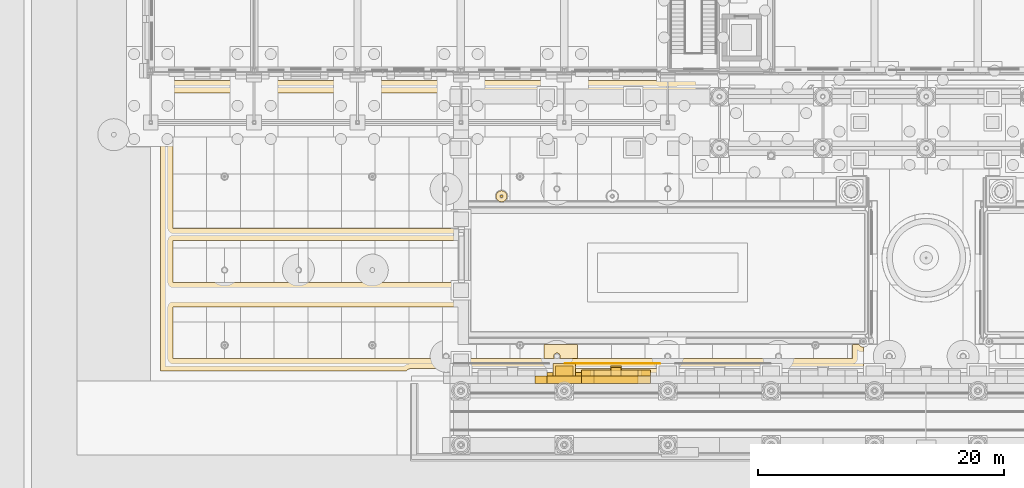
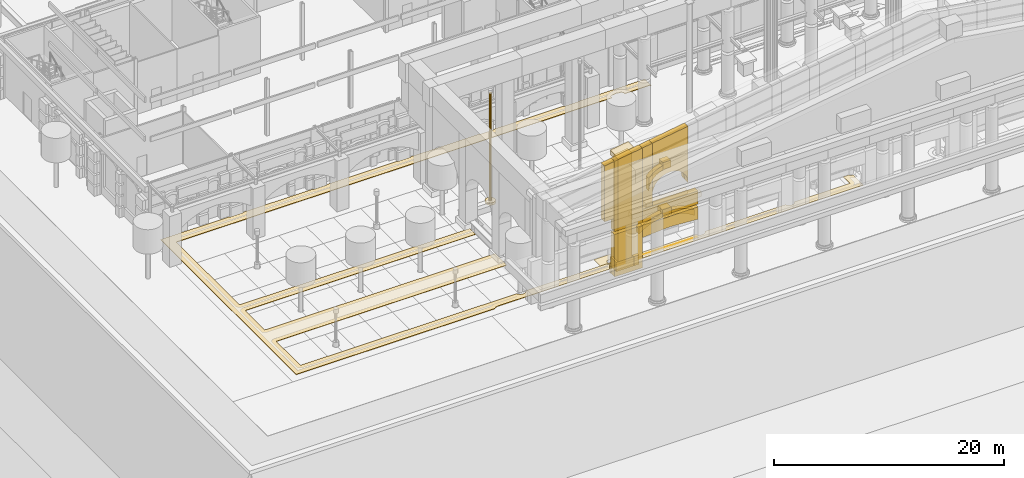
# One storey, part 112 of 222: 25 coverings.
"""IFC4 building model written with IfcOpenShell, lengths in metres."""

from ifc_helpers import new_model, si_unit, direction, frame, origin, origin_2d, place, context, subcontext, project, spatial, polyline, rectangle, circle, outline, extrude, material, layer, layer_set, type_object, element, save


model = new_model("IFC4")

# Units and contexts
model_context = context("Model", 3, precision=1e-05, world=origin(), true_north=direction((0.0, 1.0)))
body_context = subcontext(model_context, "Body", "Model", "MODEL_VIEW")
ifc_project = project(units=[si_unit("LENGTHUNIT", "METRE"), si_unit("AREAUNIT", "SQUARE_METRE"), si_unit("VOLUMEUNIT", "CUBIC_METRE"), si_unit("PLANEANGLEUNIT", "RADIAN"), si_unit("MASSUNIT", "GRAM", prefix="KILO")], contexts=[model_context])

# Site, building, storey
site_placement = place(None, origin())
site = spatial("IfcSite", under=ifc_project, at=site_placement, CompositionType="ELEMENT")
building_placement = place(site_placement, origin())
building = spatial("IfcBuilding", under=site, at=building_placement, Name="Sava Quay Ferry Terminal", CompositionType="ELEMENT")
storey_placement = place(building_placement, origin())
storey = spatial("IfcBuildingStorey", under=building, at=storey_placement, Name="L00", CompositionType="ELEMENT", Elevation=0.0)

# Coverings
ifc_material_1 = material(Name="Limestone Mutalj", Category="masonry")
ifc_layer_1 = layer(ifc_material_1, 0.60009765625)
ifc_layer_set_1 = layer_set([ifc_layer_1], Name="Limestone Mutalj")
covering_type_1 = type_object("IfcCoveringType", Name="Arcade spandrel 600", PredefinedType="CLADDING", material=ifc_layer_set_1)
covering_1_placement = place(storey_placement, frame((35.0, 0.39990234375, 3.199951171875), z_axis=(0.0, 1.0, 0.0), x_axis=(0.0, 0.0, 1.0)))
element("IfcCovering", 1, at=covering_1_placement, inside=storey, type_object=covering_type_1, Name="Arcade spandrel", PredefinedType="CLADDING", context=body_context, shape_type="SweptSolid", body=[
    extrude(outline(polyline([(0.0, 0.0), (1.300048828125, 0.0), (1.300048828125, 5.60009765625), (0.0, 5.60009765625), (0.334228515625, 0.500244140625), (0.60009765625, 1.039794921875), (0.79345703125, 1.609619140625), (0.91064453125, 2.19970703125), (0.949951171875, 2.800048828125), (0.91064453125, 3.400390625), (0.79345703125, 3.990478515625), (0.60009765625, 4.56005859375), (0.334228515625, 5.099609375), (0.0, 0.0)])), origin(), (0.0, 0.0, -1.0), 0.60009765625),
])
ifc_material_2 = material(Name="Limestone Mutalj", Category="masonry")
ifc_layer_2 = layer(ifc_material_2, 0.60009765625)
ifc_layer_set_2 = layer_set([ifc_layer_2], Name="Limestone Mutalj")
covering_type_2 = type_object("IfcCoveringType", Name="Arcade wall pier 2800", PredefinedType="CLADDING", material=ifc_layer_set_2)
covering_2_placement = place(storey_placement, frame((33.60009765625, 0.10009765625, 0.0), z_axis=(0.0, 0.0, 1.0), x_axis=(1.0, 0.0, 0.0)))
element("IfcCovering", 2, at=covering_2_placement, inside=storey, type_object=covering_type_2, Name="Arcade wall pier", PredefinedType="CLADDING", context=body_context, shape_type="SweptSolid", body=[
    extrude(rectangle(XDim=2.800048828125, YDim=0.60009765625, at=origin_2d()), origin(), (0.0, 0.0, 1.0), 4.5),
])
ifc_material_3 = material(Name="Limestone Mutalj", Category="masonry")
ifc_layer_3 = layer(ifc_material_3, 0.5)
ifc_layer_set_3 = layer_set([ifc_layer_3], Name="Limestone Mutalj")
covering_type_3 = type_object("IfcCoveringType", Name="Arch archivolt 500", PredefinedType="MOLDING", material=ifc_layer_set_3)
covering_3_placement = place(storey_placement, frame((35.0, 0.39990234375, 3.199951171875), z_axis=(0.0, -1.0, 0.0), x_axis=(0.807262114097, 0.0, 0.590193086324)))
element("IfcCovering", 3, at=covering_3_placement, inside=storey, type_object=covering_type_3, Name="Arch archivolt", PredefinedType="MOLDING", context=body_context, shape_type="SweptSolid", body=[
    extrude(outline(polyline([(0.0, 0.0), (0.20807213303693342, 0.0), (0.40946312569333504, -0.008724756359381552), (0.6048553291412851, -0.02606827834192732), (0.7947191130804292, -0.05055987286725966), (0.9793045583559503, -0.08268480563038433), (1.159082034667494, -0.12097238355092349), (1.3343016228602433, -0.16590787232388304), (1.5050544176750553, -0.2169530108861486), (1.6715756039617524, -0.2733724526975312), (1.8339711724565528, -0.33584854893011096), (1.9922792225322041, -0.40350186293473334), (2.1470380152518214, -0.47642348945225554), (2.2977092895522895, -0.5545223337418203), (2.4448313064967238, -0.6378894905442849), (2.741224660639209, -0.23248466420227665), (2.5951112744575355, -0.14773790906029127), (2.44602499135569, -0.06747112452290827), (2.293283460161593, 0.008209698673655286), (2.1372808518293933, 0.07901638031146774), (1.9776229954049414, 0.14523710060846096), (1.8145599717334213, 0.20638659386962865), (1.6475535197517182, 0.26255595483582816), (1.476800724936906, 0.3136010933980936), (1.3020664024391628, 0.35878666301623635), (1.1232445615222704, 0.39879501486233637), (0.9401530127045152, 0.4325496268101647), (0.7522534949227826, 0.46014159360057844), (0.5596519989132898, 0.4808885640614975), (0.3618102636129225, 0.49488163293377874), (0.0, 0.0)])), origin(), (0.0, 0.0, -1.0), 0.5),
])
covering_4_placement = place(storey_placement, frame((38.25, 0.39990234375, 4.1279296875), z_axis=(0.0, -1.0, 0.0), x_axis=(0.993307380301, 0.0, -0.115500858175)))
element("IfcCovering", 4, at=covering_4_placement, inside=storey, type_object=covering_type_3, Name="Arch archivolt", PredefinedType="MOLDING", context=body_context, shape_type="SweptSolid", body=[
    extrude(outline(polyline([(0.0, 0.0), (0.16910047517119814, 3.469446951953614e-18), (0.3386916034020246, -0.0063333722524431535), (0.5092865965134697, -0.019186226538567767), (0.6803722426845432, -0.03837245307713555), (0.8524617537362355, -0.06407816164938478), (1.025154711654367, -0.09708726921265261), (1.1988797329048202, -0.13685836549424574), (1.3734789061580595, -0.18414716899979858), (1.5487661216328463, -0.2394668915503016), (1.7251981942467658, -0.30251862955770537), (1.9024593013407467, -0.3748138200332787), (2.0810062578323745, -0.4560535593889721), (2.2605232410625775, -0.5477492846360541), (2.4415516613040493, -0.6503296122404072), (2.3707453490783825, -0.04139532709967292), (2.1917190189078077, 0.04396702589496604), (2.013922141231474, 0.12086984337877266), (1.8368415042283905, 0.18949923513298525), (1.66090572436444, 0.25039661143029707), (1.4856015898186314, 0.3037480820519464), (1.3113013201534418, 0.3505800706399143), (1.1375762989029885, 0.39035116692150745), (0.9645844373968073, 0.42381708940236024), (0.7925682423195425, 0.4510060365341754), (0.6210145018502029, 0.4721041180981913), (0.4503800309063738, 0.48741023768245734), (0.28017981611876747, 0.4968679983835679), (0.11089887085667155, 0.5005337971049285), (-0.05800421515260716, 0.4988362503124215), (0.0, 0.0)])), origin(), (0.0, 0.0, -1.0), 0.5),
])
ifc_material_4 = material(Name="Limestone Mutalj", Category="masonry")
ifc_layer_4 = layer(ifc_material_4, 0.800048828125)
ifc_layer_set_4 = layer_set([ifc_layer_4], Name="Limestone Mutalj")
covering_type_4 = type_object("IfcCoveringType", Name="Arch keystone 900", PredefinedType="CLADDING", material=ifc_layer_set_4)
covering_5_placement = place(storey_placement, frame((37.800048828125, 0.800048828125, 4.14990234375), z_axis=(0.0, 0.0, 1.0), x_axis=(1.0, 0.0, 0.0)))
element("IfcCovering", 5, at=covering_5_placement, inside=storey, type_object=covering_type_4, Name="Arch keystone", PredefinedType="CLADDING", context=body_context, shape_type="SweptSolid", body=[
    extrude(rectangle(XDim=0.89990234375, YDim=0.800048828125, at=origin_2d()), origin(), (0.0, 0.0, 1.0), 0.800048828125),
])
ifc_material_5 = material(Name="Limestone Mutalj", Category="masonry")
ifc_layer_5 = layer(ifc_material_5, 0.60009765625)
ifc_layer_set_5 = layer_set([ifc_layer_5], Name="Limestone Mutalj")
covering_type_5 = type_object("IfcCoveringType", Name="Attic arch head panel 600", PredefinedType="CLADDING", material=ifc_layer_set_5)
covering_6_placement = place(storey_placement, frame((36.0, -0.199951171875, 7.39990234375), z_axis=(0.0, -1.0, 0.0), x_axis=(0.130360467782, 0.0, 0.991466665319)))
element("IfcCovering", 6, at=covering_6_placement, inside=storey, type_object=covering_type_5, Name="Attic arch head panel", PredefinedType="CLADDING", context=body_context, shape_type="SweptSolid", body=[
    extrude(outline(polyline([(0.0, 0.0), (0.47007576696975106, -6.938893903907228e-18), (0.9239096038088954, -0.12180908706656961), (1.3307996686807666, -0.3566594363796859), (1.6628474956806976, -0.6890123392533513), (1.8978308560459949, -1.095934230411302), (2.019343616297553, -1.5500332017691405), (2.0193117900114737, -2.019866911447554), (1.8975027029449039, -2.473700748286698), (1.6626523536317879, -2.880590813158569), (1.330331277044202, -3.212880697449838), (0.9234093858862513, -3.447864057815135), (0.46931041452841277, -3.5693768180666936), (6.44013761995708, -2.78431781934349), (5.417484237430535, 0.71230410874545), (0.0, 0.0)])), origin(), (0.0, 0.0, -1.0), 0.60009765625),
])
ifc_material_6 = material(Name="Limestone Mutalj", Category="masonry")
ifc_layer_6 = layer(ifc_material_6, 0.60009765625)
ifc_layer_set_6 = layer_set([ifc_layer_6], Name="Limestone Mutalj")
covering_type_6 = type_object("IfcCoveringType", Name="Attic wall pier 2800", PredefinedType="CLADDING", material=ifc_layer_set_6)
covering_7_placement = place(storey_placement, frame((32.199951171875, -0.199951171875, 4.800048828125), z_axis=(0.0, -1.0, 0.0), x_axis=(1.0, 0.0, 0.0)))
element("IfcCovering", 7, at=covering_7_placement, inside=storey, type_object=covering_type_6, Name="Attic wall pier", PredefinedType="CLADDING", context=body_context, shape_type="SweptSolid", body=[
    extrude(outline(polyline([(0.0, 0.0), (2.800048828125, 0.0), (2.800048828125, 7.908935546875), (0.0, 7.474853515625), (0.0, 0.0)])), origin(), (0.0, 0.0, -1.0), 0.60009765625),
])
ifc_material_7 = material(Name="Limestone Mutalj", Category="masonry")
ifc_layer_7 = layer(ifc_material_7, 0.60009765625)
ifc_layer_set_7 = layer_set([ifc_layer_7], Name="Limestone Mutalj")
covering_type_7 = type_object("IfcCoveringType", Name="Attic window jamb panel 600", PredefinedType="CLADDING", material=ifc_layer_set_7)
covering_8_placement = place(storey_placement, frame((31.199951171875, -0.199951171875, 6.199951171875), z_axis=(0.0, -1.0, 0.0), x_axis=(1.0, 0.0, 0.0)))
element("IfcCovering", 8, at=covering_8_placement, inside=storey, type_object=covering_type_7, Name="Attic window jamb panel", PredefinedType="CLADDING", context=body_context, shape_type="SweptSolid", body=[
    extrude(outline(polyline([(0.0, 0.0), (1.0, 0.0), (1.0, 6.074951171875), (0.0, 5.919921875), (0.0, 0.0)])), origin(), (0.0, 0.0, -1.0), 0.60009765625),
])
covering_9_placement = place(storey_placement, frame((35.0, -0.199951171875, 6.199951171875), z_axis=(0.0, -1.0, 0.0), x_axis=(1.0, 0.0, 0.0)))
element("IfcCovering", 9, at=covering_9_placement, inside=storey, type_object=covering_type_7, Name="Attic window jamb panel", PredefinedType="CLADDING", context=body_context, shape_type="SweptSolid", body=[
    extrude(outline(polyline([(0.0, 0.0), (1.0, 0.0), (1.0, 6.6640625), (0.0, 6.509033203125), (0.0, 0.0)])), origin(), (0.0, 0.0, -1.0), 0.60009765625),
])
ifc_material_8 = material(Name="Limestone Mutalj", Category="masonry")
ifc_layer_8 = layer(ifc_material_8, 0.60009765625)
ifc_layer_set_8 = layer_set([ifc_layer_8], Name="Limestone Mutalj")
covering_type_8 = type_object("IfcCoveringType", Name="Attic window sill panel 600", PredefinedType="CLADDING", material=ifc_layer_set_8)
covering_10_placement = place(storey_placement, frame((35.0, -0.199951171875, 4.800048828125), z_axis=(0.0, -1.0, 0.0), x_axis=(1.0, 0.0, 0.0)))
element("IfcCovering", 10, at=covering_10_placement, inside=storey, type_object=covering_type_8, Name="Attic window sill panel", PredefinedType="CLADDING", context=body_context, shape_type="SweptSolid", body=[
    extrude(outline(polyline([(0.0, 0.0), (5.60009765625, 0.0), (5.60009765625, 1.39990234375), (0.0, 1.39990234375), (0.0, 0.0)])), origin(), (0.0, 0.0, -1.0), 0.60009765625),
])
ifc_material_9 = material(Name="Limestone Mutalj", Category="masonry")
ifc_layer_9 = layer(ifc_material_9, 0.800048828125)
ifc_layer_set_9 = layer_set([ifc_layer_9], Name="Limestone Mutalj")
covering_type_9 = type_object("IfcCoveringType", Name="Back wall pilaster 800", PredefinedType="CLADDING", material=ifc_layer_set_9)
covering_11_placement = place(storey_placement, frame((32.89990234375, 0.39990234375, 1.0), z_axis=(0.0, -1.0, 0.0), x_axis=(1.0, 0.0, 0.0)))
element("IfcCovering", 11, at=covering_11_placement, inside=storey, type_object=covering_type_9, Name="Back wall pilaster", PredefinedType="CLADDING", context=body_context, shape_type="SweptSolid", body=[
    extrude(outline(polyline([(0.0, 0.0), (1.400146484375, 0.0), (1.400146484375, 11.100341796875), (0.0, 10.88330078125), (0.0, 0.0)])), origin(), (0.0, 0.0, -1.0), 0.800048828125),
])
ifc_material_10 = material(Name="Limestone Mutalj", Category="masonry")
ifc_layer_10 = layer(ifc_material_10, 1.0)
ifc_layer_set_10 = layer_set([ifc_layer_10], Name="Limestone Mutalj")
covering_type_10 = type_object("IfcCoveringType", Name="Back wall pilaster base 1000", PredefinedType="MOLDING", material=ifc_layer_set_10)
covering_12_placement = place(storey_placement, frame((33.60009765625, 0.89990234375, 0.0), z_axis=(0.0, 0.0, 1.0), x_axis=(1.0, 0.0, 0.0)))
element("IfcCovering", 12, at=covering_12_placement, inside=storey, type_object=covering_type_10, Name="Back wall pilaster base", PredefinedType="MOLDING", context=body_context, shape_type="SweptSolid", body=[
    extrude(rectangle(XDim=1.800048828125, YDim=1.0, at=origin_2d()), origin(), (0.0, 0.0, 1.0), 1.0),
])
ifc_material_11 = material(Name="Limestone Mutalj", Category="masonry")
ifc_layer_11 = layer(ifc_material_11, 1.0)
ifc_layer_set_11 = layer_set([ifc_layer_11], Name="Limestone Mutalj")
covering_type_11 = type_object("IfcCoveringType", Name="Back wall pilaster capital 1000", PredefinedType="MOLDING", material=ifc_layer_set_11)
covering_13_placement = place(storey_placement, frame((32.699951171875, 0.39990234375, 11.852294921875), z_axis=(0.0, -1.0, 0.0), x_axis=(0.988195952481, 0.0, 0.153195168003)))
element("IfcCovering", 13, at=covering_13_placement, inside=storey, type_object=covering_type_11, Name="Back wall pilaster capital", PredefinedType="MOLDING", context=body_context, shape_type="SweptSolid", body=[
    extrude(outline(polyline([(0.0, 0.0), (1.8215504967462062, 0.0), (1.8981480807477107, 0.4940979762406768), (0.07659758400150464, 0.49409797624067686), (0.0, 0.0)])), origin(), (0.0, 0.0, -1.0), 1.0),
])
ifc_material_12 = material(Name="Basalt setts", Category="masonry")
ifc_layer_12 = layer(ifc_material_12, 0.02001953125)
ifc_layer_set_12 = layer_set([ifc_layer_12], Name="Basalt setts")
covering_type_12 = type_object("IfcCoveringType", Name="Basalt inlay line 20", PredefinedType="FLOORING", material=ifc_layer_set_12)
covering_14_placement = place(storey_placement, frame((0.0, 0.0, 0.050048828125)))
element("IfcCovering", 14, at=covering_14_placement, inside=storey, type_object=covering_type_12, Name="Basalt inlay line", PredefinedType="FLOORING", context=body_context, shape_type="SweptSolid", body=[
    extrude(outline(polyline([(41.3759765625, 1.3798828125), (41.339111328125, 1.419921875), (33.660888671875, 1.419921875), (33.623046875, 1.3798828125), (41.3759765625, 1.3798828125)])), origin(), (0.0, 0.0, 1.0), 0.02001953125),
])
ifc_material_13 = material(Name="Red sandstone Vrsac", Category="masonry")
ifc_layer_13 = layer(ifc_material_13, 0.030029296875)
ifc_layer_set_13 = layer_set([ifc_layer_13], Name="Red sandstone Vrsac")
covering_type_13 = type_object("IfcCoveringType", Name="Court paving tile sandstone 30", PredefinedType="FLOORING", material=ifc_layer_set_13)
covering_15_placement = place(storey_placement, origin())
element("IfcCovering", 15, at=covering_15_placement, inside=storey, type_object=covering_type_13, Name="Sandstone paving tile", PredefinedType="FLOORING", context=body_context, shape_type="SweptSolid", body=[
    extrude(outline(polyline([(33.4580078125, 1.81005859375), (34.679931640625, 1.81005859375), (34.679931640625, 2.949951171875), (31.93994140625, 2.949951171875), (31.93994140625, 1.81005859375), (32.5419921875, 1.81005859375), (32.548095703125, 1.80810546875), (32.552978515625, 1.800048828125), (32.833984375, 1.800048828125), (32.799072265625, 1.8349609375), (32.783935546875, 1.85498046875), (32.77099609375, 1.876953125), (32.7509765625, 1.925048828125), (32.7451171875, 1.948974609375), (32.740966796875, 1.97509765625), (32.739990234375, 2.0), (32.740966796875, 2.02490234375), (32.7451171875, 2.051025390625), (32.7509765625, 2.074951171875), (32.77099609375, 2.123046875), (32.783935546875, 2.14501953125), (32.799072265625, 2.1650390625), (32.81689453125, 2.18408203125), (32.8349609375, 2.200927734375), (32.85498046875, 2.216064453125), (32.8779296875, 2.22998046875), (32.924072265625, 2.2490234375), (32.97412109375, 2.259033203125), (33.0, 2.260009765625), (33.02490234375, 2.259033203125), (33.075927734375, 2.2490234375), (33.1220703125, 2.22998046875), (33.14501953125, 2.216064453125), (33.1650390625, 2.200927734375), (33.18310546875, 2.18408203125), (33.200927734375, 2.1650390625), (33.216064453125, 2.14501953125), (33.22900390625, 2.123046875), (33.2490234375, 2.074951171875), (33.2548828125, 2.051025390625), (33.259033203125, 2.02490234375), (33.260009765625, 2.0), (33.259033203125, 1.97509765625), (33.2548828125, 1.948974609375), (33.2490234375, 1.925048828125), (33.22900390625, 1.876953125), (33.216064453125, 1.85498046875), (33.200927734375, 1.8349609375), (33.166015625, 1.800048828125), (33.447021484375, 1.800048828125), (33.450927734375, 1.80810546875), (33.4580078125, 1.81005859375)])), origin(), (0.0, 0.0, 1.0), 0.030029296875),
])
ifc_material_14 = material(Name="Limestone Mutalj", Category="masonry")
ifc_layer_14 = layer(ifc_material_14, 0.60009765625)
ifc_layer_set_14 = layer_set([ifc_layer_14], Name="Limestone Mutalj")
covering_type_14 = type_object("IfcCoveringType", Name="Face string course 600", PredefinedType="MOLDING", material=ifc_layer_set_14)
covering_16_placement = place(storey_placement, frame((37.800048828125, 0.699951171875, 5.0), z_axis=(0.0, 0.0, 1.0), x_axis=(1.0, 0.0, 0.0)))
element("IfcCovering", 16, at=covering_16_placement, inside=storey, type_object=covering_type_14, Name="Face string course", PredefinedType="MOLDING", context=body_context, shape_type="SweptSolid", body=[
    extrude(rectangle(XDim=7.0, YDim=0.60009765625, at=origin_2d()), origin(), (0.0, 0.0, 1.0), 0.5),
])
ifc_material_15 = material(Name="Steel S355", Category="steel")
ifc_layer_15 = layer(ifc_material_15, 0.89990234375)
ifc_layer_set_15 = layer_set([ifc_layer_15], Name="Steel S355")
covering_type_15 = type_object("IfcCoveringType", Name="Flagstaff base plate 900", PredefinedType="MOLDING", material=ifc_layer_set_15)
covering_17_placement = place(storey_placement, frame((28.5, 15.0, 0.25), z_axis=(0.0, 0.0, -1.0), x_axis=(1.0, 0.0, 0.0)))
element("IfcCovering", 17, at=covering_17_placement, inside=storey, type_object=covering_type_15, Name="Flagstaff base plate", PredefinedType="MOLDING", context=body_context, shape_type="SweptSolid", body=[
    extrude(circle(Radius=0.449951171875, at=origin_2d()), origin(), (0.0, 0.0, 1.0), 0.25),
])
ifc_material_16 = material(Name="Steel S355", Category="steel")
ifc_layer_16 = layer(ifc_material_16, 0.219970703125)
ifc_layer_set_16 = layer_set([ifc_layer_16], Name="Steel S355")
covering_type_16 = type_object("IfcCoveringType", Name="Flagstaff mast 220", PredefinedType="CLADDING", material=ifc_layer_set_16)
covering_18_placement = place(storey_placement, frame((28.5, 15.0, 11.64990234375), z_axis=(0.0, 0.0, -1.0), x_axis=(1.0, 0.0, 0.0)))
element("IfcCovering", 18, at=covering_18_placement, inside=storey, type_object=covering_type_16, Name="Flagstaff mast", PredefinedType="CLADDING", context=body_context, shape_type="SweptSolid", body=[
    extrude(circle(Radius=0.110107421875, at=origin_2d()), origin(), (0.0, 0.0, 1.0), 11.39990234375),
])
ifc_material_17 = material(Name="Limestone Mutalj", Category="masonry")
ifc_layer_17 = layer(ifc_material_17, 0.300048828125)
ifc_layer_set_17 = layer_set([ifc_layer_17], Name="Limestone Mutalj")
covering_type_17 = type_object("IfcCoveringType", Name="Pier rustication block 300", PredefinedType="CLADDING", material=ifc_layer_set_17)
for number, where, z_axis, x_axis, name in (
    (19, (32.449951171875, 0.550048828125, 0.0), (0.0, 0.0, 1.0), (1.0, 0.0, 0.0), "Pier rustication block"),
    (20, (34.75, 0.550048828125, 0.0), (0.0, 0.0, 1.0), (1.0, 0.0, 0.0), "Pier rustication block"),
):
    element("IfcCovering", number, at=place(storey_placement, frame(where, z_axis=z_axis, x_axis=x_axis)), inside=storey, type_object=covering_type_17, Name=name, PredefinedType="CLADDING", context=body_context, shape_type="SweptSolid", body=[
        extrude(rectangle(XDim=0.5, YDim=0.300048828125, at=origin_2d()), origin(), (0.0, 0.0, 1.0), 1.0),
    ])
ifc_material_18 = material(Name="Limestone Mutalj", Category="masonry")
ifc_layer_18 = layer(ifc_material_18, 0.050048828125)
ifc_layer_set_18 = layer_set([ifc_layer_18], Name="Limestone Mutalj")
covering_type_18 = type_object("IfcCoveringType", Name="Stone paving band 50", PredefinedType="FLOORING", material=ifc_layer_set_18)
covering_19_placement = place(storey_placement, origin())
element("IfcCovering", 21, at=covering_19_placement, inside=storey, type_object=covering_type_18, Name="Stone paving band", PredefinedType="FLOORING", context=body_context, shape_type="SweptSolid", body=[
    extrude(outline(polyline([(7.800048828125, 24.340087890625), (7.77490234375, 24.341064453125), (7.72705078125, 24.35107421875), (7.7041015625, 24.35888671875), (7.660888671875, 24.382080078125), (7.637939453125, 24.39990234375), (0.800048828125, 24.39990234375), (0.800048828125, 0.800048828125), (20.75390625, 0.800048828125), (20.77587890625, 0.823974609375), (20.819091796875, 0.864013671875), (20.866943359375, 0.89892578125), (20.9169921875, 0.928955078125), (20.969970703125, 0.9541015625), (21.02587890625, 0.97412109375), (21.0830078125, 0.988037109375), (21.14111328125, 0.9970703125), (21.199951171875, 1.0), (57.89990234375, 1.0), (57.89990234375, 2.75), (57.844970703125, 2.75390625), (57.787109375, 2.764892578125), (57.72509765625, 2.785888671875), (57.677978515625, 2.80908203125), (57.62890625, 2.841064453125), (57.580078125, 2.884033203125), (57.541015625, 2.928955078125), (57.527099609375, 2.949951171875), (57.0, 2.949951171875), (57.0, 1.800048828125), (51.4580078125, 1.800048828125), (51.446044921875, 1.77490234375), (51.408935546875, 1.7119140625), (51.362060546875, 1.655029296875), (51.30810546875, 1.60595703125), (51.26708984375, 1.577880859375), (51.24609375, 1.56494140625), (51.202880859375, 1.54296875), (51.133056640625, 1.51806640625), (51.110107421875, 1.511962890625), (51.06103515625, 1.50390625), (50.988037109375, 1.5), (50.93896484375, 1.50390625), (50.9150390625, 1.508056640625), (50.866943359375, 1.51806640625), (50.843017578125, 1.52490234375), (50.797119140625, 1.54296875), (50.77490234375, 1.553955078125), (50.7119140625, 1.591064453125), (50.69189453125, 1.60595703125), (50.655029296875, 1.637939453125), (50.637939453125, 1.655029296875), (50.60595703125, 1.69189453125), (50.591064453125, 1.7119140625), (50.56494140625, 1.75390625), (50.5419921875, 1.800048828125), (42.4580078125, 1.800048828125), (42.446044921875, 1.77490234375), (42.408935546875, 1.7119140625), (42.362060546875, 1.655029296875), (42.30810546875, 1.60595703125), (42.26708984375, 1.577880859375), (42.24609375, 1.56494140625), (42.202880859375, 1.54296875), (42.133056640625, 1.51806640625), (42.110107421875, 1.511962890625), (42.06103515625, 1.50390625), (41.988037109375, 1.5), (41.93896484375, 1.50390625), (41.9150390625, 1.508056640625), (41.866943359375, 1.51806640625), (41.843017578125, 1.52490234375), (41.797119140625, 1.54296875), (41.77490234375, 1.553955078125), (41.7119140625, 1.591064453125), (41.69189453125, 1.60595703125), (41.655029296875, 1.637939453125), (41.637939453125, 1.655029296875), (41.60595703125, 1.69189453125), (41.591064453125, 1.7119140625), (41.56494140625, 1.75390625), (41.5419921875, 1.800048828125), (33.4580078125, 1.800048828125), (33.446044921875, 1.77490234375), (33.408935546875, 1.7119140625), (33.362060546875, 1.655029296875), (33.30810546875, 1.60595703125), (33.26708984375, 1.577880859375), (33.24609375, 1.56494140625), (33.202880859375, 1.54296875), (33.133056640625, 1.51806640625), (33.110107421875, 1.511962890625), (33.06103515625, 1.50390625), (32.988037109375, 1.5), (32.93896484375, 1.50390625), (32.9150390625, 1.508056640625), (32.866943359375, 1.51806640625), (32.843017578125, 1.52490234375), (32.797119140625, 1.54296875), (32.77490234375, 1.553955078125), (32.7119140625, 1.591064453125), (32.69189453125, 1.60595703125), (32.655029296875, 1.637939453125), (32.637939453125, 1.655029296875), (32.60595703125, 1.69189453125), (32.591064453125, 1.7119140625), (32.56494140625, 1.75390625), (32.5419921875, 1.800048828125), (24.4580078125, 1.800048828125), (24.446044921875, 1.77490234375), (24.422119140625, 1.73291015625), (24.39404296875, 1.69189453125), (24.344970703125, 1.637939453125), (24.2880859375, 1.591064453125), (24.24609375, 1.56494140625), (24.202880859375, 1.54296875), (24.156982421875, 1.52490234375), (24.110107421875, 1.511962890625), (24.06103515625, 1.50390625), (23.988037109375, 1.5), (23.93896484375, 1.50390625), (23.9150390625, 1.508056640625), (23.866943359375, 1.51806640625), (23.843017578125, 1.52490234375), (23.77490234375, 1.553955078125), (23.7119140625, 1.591064453125), (23.655029296875, 1.637939453125), (23.60595703125, 1.69189453125), (23.56494140625, 1.75390625), (23.5419921875, 1.800048828125), (1.800048828125, 1.800048828125), (1.800048828125, 6.0), (24.949951171875, 6.0), (24.949951171875, 8.0), (1.800048828125, 8.0), (1.800048828125, 11.39990234375), (24.949951171875, 11.39990234375), (24.949951171875, 12.39990234375), (1.800048828125, 12.39990234375), (1.800048828125, 23.39990234375), (45.550048828125, 23.39990234375), (45.551025390625, 23.47900390625), (45.555908203125, 23.509033203125), (45.56298828125, 23.537109375), (45.572998046875, 23.56494140625), (45.5849609375, 23.591064453125), (45.60107421875, 23.616943359375), (45.617919921875, 23.639892578125), (45.637939453125, 23.662109375), (45.659912109375, 23.681884765625), (45.68310546875, 23.698974609375), (45.708984375, 23.715087890625), (45.735107421875, 23.72705078125), (45.762939453125, 23.737060546875), (45.791015625, 23.743896484375), (45.821044921875, 23.7490234375), (45.94091796875, 23.75), (46.009033203125, 23.77294921875), (46.075927734375, 23.7890625), (46.14404296875, 23.798095703125), (46.2119140625, 23.800048828125), (46.281005859375, 23.794921875), (46.34912109375, 23.783935546875), (46.4150390625, 23.76611328125), (46.458984375, 23.75), (46.5791015625, 23.7490234375), (46.60888671875, 23.743896484375), (46.636962890625, 23.737060546875), (46.6650390625, 23.72705078125), (46.69091796875, 23.715087890625), (46.717041015625, 23.698974609375), (46.739990234375, 23.681884765625), (46.761962890625, 23.662109375), (46.781982421875, 23.639892578125), (46.799072265625, 23.616943359375), (46.81494140625, 23.591064453125), (46.826904296875, 23.56494140625), (46.8369140625, 23.537109375), (46.843994140625, 23.509033203125), (46.84912109375, 23.47900390625), (46.85009765625, 23.39990234375), (49.470947265625, 23.39990234375), (49.470947265625, 24.39990234375), (42.761962890625, 24.39990234375), (42.739013671875, 24.382080078125), (42.696044921875, 24.35888671875), (42.673095703125, 24.35107421875), (42.64892578125, 24.344970703125), (42.625, 24.341064453125), (42.60009765625, 24.340087890625), (41.375, 24.341064453125), (41.326904296875, 24.35107421875), (41.303955078125, 24.35888671875), (41.260986328125, 24.382080078125), (41.238037109375, 24.39990234375), (34.362060546875, 24.39990234375), (34.339111328125, 24.382080078125), (34.2958984375, 24.35888671875), (34.27294921875, 24.35107421875), (34.2490234375, 24.344970703125), (34.22509765625, 24.341064453125), (34.199951171875, 24.340087890625), (32.97509765625, 24.341064453125), (32.927001953125, 24.35107421875), (32.904052734375, 24.35888671875), (32.861083984375, 24.382080078125), (32.837890625, 24.39990234375), (25.9619140625, 24.39990234375), (25.93896484375, 24.382080078125), (25.89599609375, 24.35888671875), (25.873046875, 24.35107421875), (25.84912109375, 24.344970703125), (25.824951171875, 24.341064453125), (25.800048828125, 24.340087890625), (24.574951171875, 24.341064453125), (24.527099609375, 24.35107421875), (24.50390625, 24.35888671875), (24.4609375, 24.382080078125), (24.43798828125, 24.39990234375), (17.56201171875, 24.39990234375), (17.5390625, 24.382080078125), (17.49609375, 24.35888671875), (17.472900390625, 24.35107421875), (17.448974609375, 24.344970703125), (17.425048828125, 24.341064453125), (17.39990234375, 24.340087890625), (16.175048828125, 24.341064453125), (16.126953125, 24.35107421875), (16.10400390625, 24.35888671875), (16.06103515625, 24.382080078125), (16.0380859375, 24.39990234375), (9.162109375, 24.39990234375), (9.138916015625, 24.382080078125), (9.095947265625, 24.35888671875), (9.072998046875, 24.35107421875), (9.02490234375, 24.341064453125), (7.800048828125, 24.340087890625)])), origin(), (0.0, 0.0, 1.0), 0.050048828125),
])
ifc_material_19 = material(Name="Limestone Mutalj", Category="masonry")
ifc_layer_19 = layer(ifc_material_19, 0.5)
ifc_layer_set_19 = layer_set([ifc_layer_19], Name="Limestone Mutalj")
covering_type_19 = type_object("IfcCoveringType", Name="Window archivolt 450", PredefinedType="MOLDING", material=ifc_layer_set_19)
covering_20_placement = place(storey_placement, frame((36.0, 0.39990234375, 7.39990234375), z_axis=(0.0, -1.0, 0.0), x_axis=(0.166773131648, 0.0, 0.985995295405)))
element("IfcCovering", 22, at=covering_20_placement, inside=storey, type_object=covering_type_19, Name="Window archivolt", PredefinedType="MOLDING", context=body_context, shape_type="SweptSolid", body=[
    extrude(outline(polyline([(0.0, 0.0), (0.600202534188676, 0.0), (0.8465037360100364, -0.05961194048531798), (1.0312209479651981, -0.12988792320633322), (1.182437154258031, -0.2055827218462288), (1.3110662549267451, -0.28534555507361514), (1.423085571566425, -0.3679177989659783), (1.5215837676801505, -0.4525294227599309), (1.6092902120454475, -0.5392139924082746), (1.6870863584997977, -0.6273272005092998), (1.7567386897900579, -0.7170654774021836), (1.8186879328349692, -0.8081066693860715), (1.873615536060939, -0.9000879066635139), (1.9218436531688226, -0.993449916153252), (1.964013016488433, -1.0875891065501695), (2.4168101724103566, -1.011002128857105), (2.3799366822594235, -0.9159671843351223), (2.338448767366221, -0.8214651241407559), (2.2919464169086012, -0.728058823482528), (2.2403481986933778, -0.635266839345104), (2.183454107309477, -0.5433706093327452), (2.120823415838158, -0.4526922871463064), (2.0521339705785664, -0.362791145867047), (1.9767450392008878, -0.2742707768000832), (1.894093746496601, -0.18673116912326815), (1.8034986440392982, -0.10053519263405081), (1.7037968403872368, -0.01612714932306758), (1.5932218527935595, 0.06668939114885883), (1.4699293413901169, 0.14710725699364308), (1.3311899373993823, 0.22516001416408696), (0.0, 0.0)])), origin(), (0.0, 0.0, -1.0), 0.5),
])
covering_21_placement = place(storey_placement, frame((38.199951171875, 0.39990234375, 9.155029296875), z_axis=(0.0, -1.0, 0.0), x_axis=(0.968166647099, 0.0, -0.250306499006)))
element("IfcCovering", 23, at=covering_21_placement, inside=storey, type_object=covering_type_19, Name="Window archivolt", PredefinedType="MOLDING", context=body_context, shape_type="SweptSolid", body=[
    extrude(outline(polyline([(0.0, 0.0), (0.10338887065559549, 3.469446951953614e-18), (0.20806912212858697, -0.005970330243282702), (0.3146968219949552, -0.01849787719061112), (0.423096711429482, -0.03788011963742112), (0.5332157515771674, -0.06488727399980251), (0.6456489000288829, -0.09986985792819128), (0.7603511890597372, -0.14460467306509403), (0.8780397962308196, -0.19991497468160066), (0.9991505625680017, -0.2684619296764165), (1.1242415490673723, -0.35337944256890097), (1.2553132429773082, -0.46045451364701), (1.3946428560070567, -0.6004459593456741), (1.5498529940350156, -0.8008867105029287), (1.7948948101730857, -1.3487896128408021), (1.4569565925207628, -0.041670091732761094), (1.3290626178364908, 0.05311380120834647), (1.2050796821991896, 0.132770090288529), (1.084571944582988, 0.19995994240649212), (0.9665777874863608, 0.2564520880746335), (0.8511421786341996, 0.30402332893545964), (0.7374868304803056, 0.34373328907038747), (0.6256647818796794, 0.3763521848955068), (0.5157901816724297, 0.4024138640165803), (0.40720696228257613, 0.4225052128943712), (0.3003267513456635, 0.43698482030942415), (0.1945545912708202, 0.4462032039121753), (0.09006574088326413, 0.45045784249806037), (-0.012903431006677638, 0.44980984605218843), (-0.11494788198987689, 0.4446097322249955), (0.0, 0.0)])), origin(), (0.0, 0.0, -1.0), 0.5),
])
ifc_material_20 = material(Name="Limestone Mutalj", Category="masonry")
ifc_layer_20 = layer(ifc_material_20, 0.699951171875)
ifc_layer_set_20 = layer_set([ifc_layer_20], Name="Limestone Mutalj")
covering_type_20 = type_object("IfcCoveringType", Name="Window keystone 800", PredefinedType="CLADDING", material=ifc_layer_set_20)
covering_22_placement = place(storey_placement, frame((37.800048828125, 0.75, 9.199951171875), z_axis=(0.0, 0.0, 1.0), x_axis=(1.0, 0.0, 0.0)))
element("IfcCovering", 24, at=covering_22_placement, inside=storey, type_object=covering_type_20, Name="Window keystone", PredefinedType="CLADDING", context=body_context, shape_type="SweptSolid", body=[
    extrude(rectangle(XDim=0.800048828125, YDim=0.699951171875, at=origin_2d()), origin(), (0.0, 0.0, 1.0), 0.75),
])
ifc_material_21 = material(Name="Limestone Mutalj", Category="masonry")
ifc_layer_21 = layer(ifc_material_21, 0.5)
ifc_layer_set_21 = layer_set([ifc_layer_21], Name="Limestone Mutalj")
covering_type_21 = type_object("IfcCoveringType", Name="Window sill band 400", PredefinedType="MOLDING", material=ifc_layer_set_21)
covering_23_placement = place(storey_placement, frame((37.800048828125, 0.64990234375, 5.800048828125), z_axis=(0.0, 0.0, 1.0), x_axis=(1.0, 0.0, 0.0)))
element("IfcCovering", 25, at=covering_23_placement, inside=storey, type_object=covering_type_21, Name="Window sill band", PredefinedType="MOLDING", context=body_context, shape_type="SweptSolid", body=[
    extrude(rectangle(XDim=4.199951171875, YDim=0.5, at=origin_2d()), origin(), (0.0, 0.0, 1.0), 0.39990234375),
])

save(model, "model.ifc")
